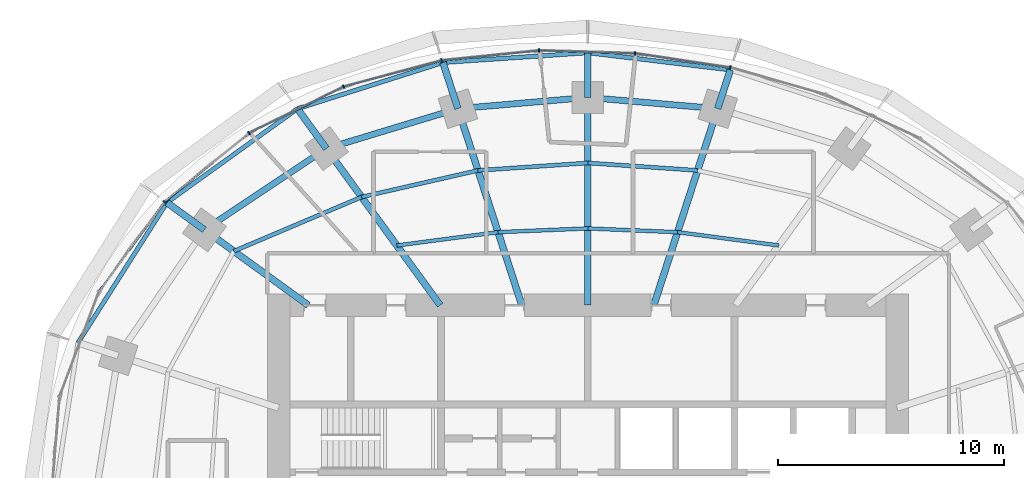
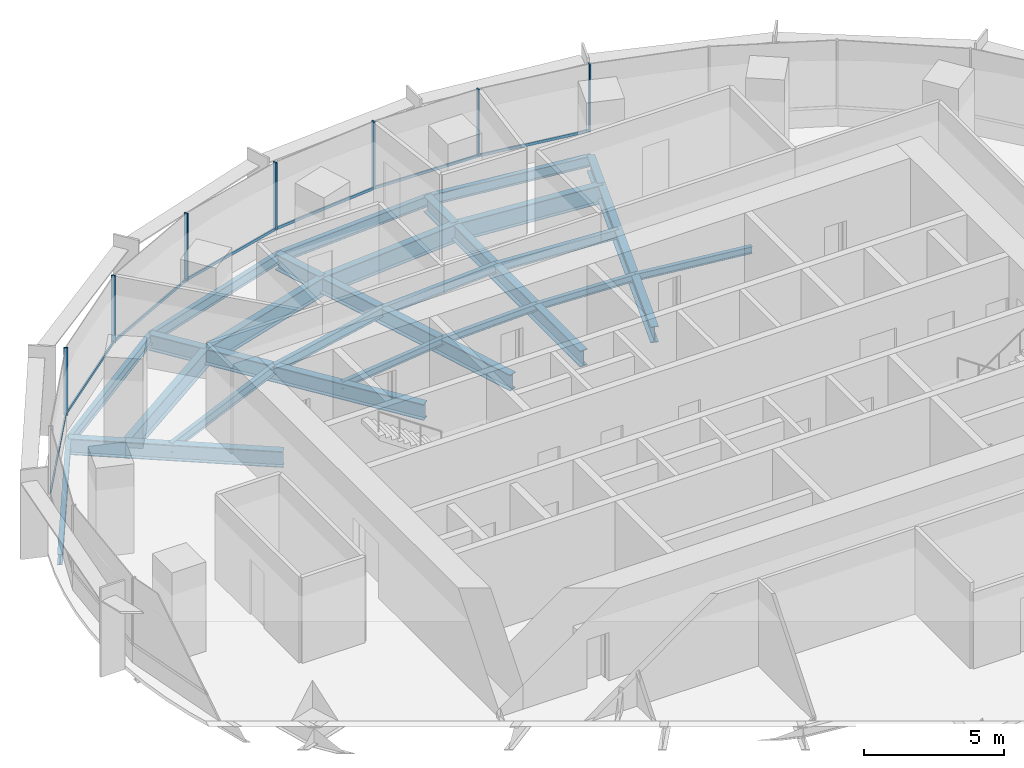
# One storey, part 7 of 15: 27 beams, 14 members, 2 elements without a shape of their own.
"""IFC4 building model written with IfcOpenShell, lengths in metres."""

from ifc_helpers import new_model, si_unit, direction, frame, origin, origin_2d, place, context, subcontext, project, spatial, rectangle, i_section, extrude, material, material_profile, profile_set, type_object, element, aggregate, save


model = new_model("IFC4")

# Units and contexts
model_context = context("Model", 3, precision=1e-05, world=origin(), true_north=direction((0.0, 1.0)))
body_context = subcontext(model_context, "Body", "Model", "MODEL_VIEW")
ifc_project = project(units=[si_unit("LENGTHUNIT", "METRE"), si_unit("AREAUNIT", "SQUARE_METRE"), si_unit("VOLUMEUNIT", "CUBIC_METRE"), si_unit("PLANEANGLEUNIT", "RADIAN"), si_unit("MASSUNIT", "GRAM", prefix="KILO")], contexts=[model_context])

# Site, building, storey
site_placement = place(None, origin())
site = spatial("IfcSite", under=ifc_project, at=site_placement, CompositionType="ELEMENT")
building_placement = place(site_placement, origin())
building = spatial("IfcBuilding", under=site, at=building_placement, Name="Marramba Exchange Tower", CompositionType="ELEMENT")
storey_placement = place(building_placement, frame((0.0, 0.0, 211.10009765625)))
storey = spatial("IfcBuildingStorey", under=building, at=storey_placement, Name="L51", CompositionType="ELEMENT", Elevation=211.10009765625)

# Beams
ifc_material_1 = material(Name="Steel AS/NZS 3679.2 grade 300", Category="steel")
ifc_material_profile_1 = material_profile(ifc_material_1, i_section(OverallWidth=0.300048828125, OverallDepth=0.699951171875, WebThickness=0.010009765625, FlangeThickness=0.031982421875, at=origin_2d()), Name="700WB173")
ifc_profile_set_1 = profile_set([ifc_material_profile_1], Name="Steel AS/NZS 3679.2 grade 300")
beam_type_1 = type_object("IfcBeamType", Name="Cantilever girder 700WB173", PredefinedType="BEAM", material=ifc_profile_set_1)
beam_1_placement = place(storey_placement, frame((5.75390625, 17.70849609375, -0.510009765625), z_axis=(0.308960771946, 0.951074782232, 0.0), x_axis=(-0.951074782232, 0.308960771946, 0.0)))
element("IfcBeam", 1, at=beam_1_placement, inside=storey, type_object=beam_type_1, Name="Cantilever girder L51 TC05", PredefinedType="BEAM", context=body_context, shape_type="SweptSolid", body=[
    extrude(i_section(OverallWidth=0.300048828125, OverallDepth=0.699951171875, WebThickness=0.010009765625, FlangeThickness=0.031982421875, at=origin_2d()), origin(), (0.0, 0.0, 1.0), 1.806396484375),
])
beam_2_placement = place(storey_placement, frame((0.0, 18.2041015625, -0.510009765625), z_axis=(0.0, 1.0, 0.0), x_axis=(-1.0, 0.0, 0.0)))
element("IfcBeam", 2, at=beam_2_placement, inside=storey, type_object=beam_type_1, Name="Cantilever girder L51 TC06", PredefinedType="BEAM", context=body_context, shape_type="SweptSolid", body=[
    extrude(i_section(OverallWidth=0.300048828125, OverallDepth=0.699951171875, WebThickness=0.010009765625, FlangeThickness=0.031982421875, at=origin_2d()), origin(), (0.0, 0.0, 1.0), 1.982177734375),
])
beam_3_placement = place(storey_placement, frame((-5.75390625, 17.70849609375, -0.510009765625), z_axis=(-0.308998798068, 0.951062428441, 0.0), x_axis=(-0.951062428441, -0.308998798068, 0.0)))
element("IfcBeam", 3, at=beam_3_placement, inside=storey, type_object=beam_type_1, Name="Cantilever girder L51 TC07", PredefinedType="BEAM", context=body_context, shape_type="SweptSolid", body=[
    extrude(i_section(OverallWidth=0.300048828125, OverallDepth=0.699951171875, WebThickness=0.010009765625, FlangeThickness=0.031982421875, at=origin_2d()), origin(), (0.0, 0.0, 1.0), 2.150634765625),
])
beam_4_placement = place(storey_placement, frame((-11.581298828125, 15.9404296875, -0.510009765625), z_axis=(-0.587832433352, 0.808982713226, 0.0), x_axis=(-0.808982713226, -0.587832433352, 0.0)))
element("IfcBeam", 4, at=beam_4_placement, inside=storey, type_object=beam_type_1, Name="Cantilever girder L51 TC08", PredefinedType="BEAM", context=body_context, shape_type="SweptSolid", body=[
    extrude(i_section(OverallWidth=0.300048828125, OverallDepth=0.699951171875, WebThickness=0.010009765625, FlangeThickness=0.031982421875, at=origin_2d()), origin(), (0.0, 0.0, 1.0), 2.1826171875),
])
beam_5_placement = place(storey_placement, frame((-16.98583984375, 12.3408203125, -0.510009765625), z_axis=(-0.808962446125, 0.587860324192, 0.0), x_axis=(-0.587860324192, -0.808962446125, 0.0)))
element("IfcBeam", 5, at=beam_5_placement, inside=storey, type_object=beam_type_1, Name="Cantilever girder L51 TC09", PredefinedType="BEAM", context=body_context, shape_type="SweptSolid", body=[
    extrude(i_section(OverallWidth=0.300048828125, OverallDepth=0.699951171875, WebThickness=0.010009765625, FlangeThickness=0.031982421875, at=origin_2d()), origin(), (0.0, 0.0, 1.0), 2.051513671875),
])
ifc_material_2 = material(Name="Steel AS/NZS 3679.1 grade 300", Category="steel")
ifc_material_profile_2 = material_profile(ifc_material_2, i_section(OverallWidth=0.166015625, OverallDepth=0.306884765625, WebThickness=0.006591796875, FlangeThickness=0.01171875, FilletRadius=0.011474609375, at=origin_2d()), Name="310UB46.2")
ifc_profile_set_2 = profile_set([ifc_material_profile_2], Name="Steel AS/NZS 3679.1 grade 300")
beam_type_2 = type_object("IfcBeamType", Name="Floor joist 310UB46.2", PredefinedType="JOIST", material=ifc_profile_set_2)
beam_6_placement = place(storey_placement, frame((8.4619140625, 11.646728515625, -0.3134765625), z_axis=(-0.991480538255, 0.130254912618, 0.0), x_axis=(-0.130254912618, -0.991480538255, 0.0)))
element("IfcBeam", 6, at=beam_6_placement, inside=storey, type_object=beam_type_2, Name="Joist L51 bay 04 row 1", PredefinedType="JOIST", context=body_context, shape_type="SweptSolid", body=[
    extrude(i_section(OverallWidth=0.166015625, OverallDepth=0.306884765625, WebThickness=0.006591796875, FlangeThickness=0.01171875, FilletRadius=0.011474609375, at=origin_2d()), origin(), (0.0, 0.0, 1.0), 4.524658203125),
])
for number, where, z_axis, x_axis, name in (
    (7, (3.975830078125, 12.236083984375, -0.3134765625), (-0.999137002892, 0.041536122257, 0.0), (-0.041536122257, -0.999137002892, 0.0), "Joist L51 bay 05 row 1"),
    (8, (0.0, 12.4013671875, -0.3134765625), (-0.999137002892, -0.041536122257, 0.0), (0.041536122257, -0.999137002892, 0.0), "Joist L51 bay 06 row 1"),
):
    element("IfcBeam", number, at=place(storey_placement, frame(where, z_axis=z_axis, x_axis=x_axis)), inside=storey, type_object=beam_type_2, Name=name, PredefinedType="JOIST", context=body_context, shape_type="SweptSolid", body=[
        extrude(i_section(OverallWidth=0.166015625, OverallDepth=0.306884765625, WebThickness=0.006591796875, FlangeThickness=0.01171875, FilletRadius=0.011474609375, at=origin_2d()), origin(), (0.0, 0.0, 1.0), 3.979248046875),
    ])
beam_7_placement = place(storey_placement, frame((-3.975830078125, 12.236083984375, -0.3134765625), z_axis=(-0.991480538255, -0.130254912618, 0.0), x_axis=(0.130254912618, -0.991480538255, 0.0)))
element("IfcBeam", 9, at=beam_7_placement, inside=storey, type_object=beam_type_2, Name="Joist L51 bay 07 row 1", PredefinedType="JOIST", context=body_context, shape_type="SweptSolid", body=[
    extrude(i_section(OverallWidth=0.166015625, OverallDepth=0.306884765625, WebThickness=0.006591796875, FlangeThickness=0.01171875, FilletRadius=0.011474609375, at=origin_2d()), origin(), (0.0, 0.0, 1.0), 4.524658203125),
])
ifc_material_profile_3 = material_profile(ifc_material_2, i_section(OverallWidth=0.177978515625, OverallDepth=0.406005859375, WebThickness=0.0078125, FlangeThickness=0.0126953125, FilletRadius=0.011474609375, at=origin_2d()), Name="410UB59.7")
ifc_profile_set_3 = profile_set([ifc_material_profile_3], Name="Steel AS/NZS 3679.1 grade 300")
beam_type_3 = type_object("IfcBeamType", Name="Floor joist 410UB59.7", PredefinedType="JOIST", material=ifc_profile_set_3)
for number, where, z_axis, x_axis, name in (
    (10, (4.86474609375, 14.972412109375, -0.363037109375), (-0.997702652202, 0.067745241816, 0.0), (-0.067745241816, -0.997702652202, 0.0), "Joist L51 bay 05 row 2"),
    (11, (0.0, 15.302734375, -0.363037109375), (-0.997702652202, -0.067745241816, 0.0), (0.067745241816, -0.997702652202, 0.0), "Joist L51 bay 06 row 2"),
):
    element("IfcBeam", number, at=place(storey_placement, frame(where, z_axis=z_axis, x_axis=x_axis)), inside=storey, type_object=beam_type_3, Name=name, PredefinedType="JOIST", context=body_context, shape_type="SweptSolid", body=[
        extrude(i_section(OverallWidth=0.177978515625, OverallDepth=0.406005859375, WebThickness=0.0078125, FlangeThickness=0.0126953125, FilletRadius=0.011474609375, at=origin_2d()), origin(), (0.0, 0.0, 1.0), 4.8759765625),
    ])
beam_8_placement = place(storey_placement, frame((-4.86474609375, 14.972412109375, -0.363037109375), z_axis=(-0.974859652292, -0.222819788916, 0.0), x_axis=(0.222819788916, -0.974859652292, 0.0)))
element("IfcBeam", 12, at=beam_8_placement, inside=storey, type_object=beam_type_3, Name="Joist L51 bay 07 row 2", PredefinedType="JOIST", context=body_context, shape_type="SweptSolid", body=[
    extrude(i_section(OverallWidth=0.177978515625, OverallDepth=0.406005859375, WebThickness=0.0078125, FlangeThickness=0.0126953125, FilletRadius=0.011474609375, at=origin_2d()), origin(), (0.0, 0.0, 1.0), 5.2900390625),
])
beam_9_placement = place(storey_placement, frame((-10.021728515625, 13.793701171875, -0.363037109375), z_axis=(-0.920674336375, -0.390331610738, 0.0), x_axis=(0.390331610738, -0.920674336375, 0.0)))
element("IfcBeam", 13, at=beam_9_placement, inside=storey, type_object=beam_type_3, Name="Joist L51 bay 08 row 2", PredefinedType="JOIST", context=body_context, shape_type="SweptSolid", body=[
    extrude(i_section(OverallWidth=0.177978515625, OverallDepth=0.406005859375, WebThickness=0.0078125, FlangeThickness=0.0126953125, FilletRadius=0.011474609375, at=origin_2d()), origin(), (0.0, 0.0, 1.0), 6.1484375),
])

# Curtain wall, members
ifc_material_3 = material(Name="Aluminium framing, bronze anodised", Category="aluminium")
curtain_wall_type = type_object("IfcCurtainWallType", Name="Office ribbon curtain wall", PredefinedType="USERDEFINED", material=ifc_material_3)
curtain_wall_1_placement = place(storey_placement, origin())
curtain_wall_1 = element("IfcCurtainWall", 14, at=curtain_wall_1_placement, inside=storey, type_object=curtain_wall_type, Name="Curtain wall CW4 L51 F06-F10", ObjectType="RIBBON CURTAIN WALL", PredefinedType="USERDEFINED")
ifc_material_4 = material(Name="Aluminium mullion, bronze anodised", Category="aluminium")
ifc_material_profile_4 = material_profile(ifc_material_4, rectangle(XDim=0.159912109375, YDim=0.06005859375, at=origin_2d()), Name="CW4 mullion 60x160")
ifc_profile_set_4 = profile_set([ifc_material_profile_4], Name="Aluminium mullion, bronze anodised")
member_type_1 = type_object("IfcMemberType", Name="Office ribbon curtain wall mullion", PredefinedType="MULLION", material=ifc_profile_set_4)
member_1_placement = place(storey_placement, frame((6.313232421875, 19.526123046875, 0.7998046875), z_axis=(0.0, 0.0, 1.0), x_axis=(-0.148794988635, -0.988868065698, 0.0)))
member_1 = element("IfcMember", 15, at=member_1_placement, type_object=member_type_1, Name="CW4 mullion 1", PredefinedType="MULLION", context=body_context, shape_type="SweptSolid", body=[
    extrude(rectangle(XDim=0.159912109375, YDim=0.06005859375, at=origin_2d()), origin(), (0.0, 0.0, 1.0), 2.940185546875),
])
member_2_placement = place(storey_placement, frame((2.088623046875, 20.158203125, 0.7998046875), z_axis=(0.0, 0.0, 1.0), x_axis=(-0.03039385249, -0.999538000143, 0.0)))
member_2 = element("IfcMember", 16, at=member_2_placement, type_object=member_type_1, Name="CW4 mullion 1", PredefinedType="MULLION", context=body_context, shape_type="SweptSolid", body=[
    extrude(rectangle(XDim=0.159912109375, YDim=0.06005859375, at=origin_2d()), origin(), (0.0, 0.0, 1.0), 2.940185546875),
])
member_3_placement = place(storey_placement, frame((-2.162109375, 20.28369140625, 0.7998046875), z_axis=(0.0, 0.0, 1.0), x_axis=(0.100862673507, -0.994900357369, 0.0)))
member_3 = element("IfcMember", 17, at=member_3_placement, type_object=member_type_1, Name="CW4 mullion 1", PredefinedType="MULLION", context=body_context, shape_type="SweptSolid", body=[
    extrude(rectangle(XDim=0.159912109375, YDim=0.06005859375, at=origin_2d()), origin(), (0.0, 0.0, 1.0), 2.940185546875),
])
member_4_placement = place(storey_placement, frame((-6.478271484375, 19.84130859375, 0.7998046875), z_axis=(0.0, 0.0, 1.0), x_axis=(0.257641223778, -0.966240653155, 0.0)))
member_4 = element("IfcMember", 18, at=member_4_placement, type_object=member_type_1, Name="CW4 mullion 1", PredefinedType="MULLION", context=body_context, shape_type="SweptSolid", body=[
    extrude(rectangle(XDim=0.159912109375, YDim=0.06005859375, at=origin_2d()), origin(), (0.0, 0.0, 1.0), 2.940185546875),
])

curtain_wall_2_placement = place(storey_placement, origin())
curtain_wall_2 = element("IfcCurtainWall", 19, at=curtain_wall_2_placement, inside=storey, type_object=curtain_wall_type, Name="Curtain wall CW4 L51 F11-F15", ObjectType="RIBBON CURTAIN WALL", PredefinedType="USERDEFINED")
member_5_placement = place(storey_placement, frame((-10.818359375, 18.677978515625, 0.7998046875), z_axis=(0.0, 0.0, 1.0), x_axis=(0.438972456661, -0.898500518805, 0.0)))
member_5 = element("IfcMember", 20, at=member_5_placement, type_object=member_type_1, Name="CW4 mullion 1", PredefinedType="MULLION", context=body_context, shape_type="SweptSolid", body=[
    extrude(rectangle(XDim=0.159912109375, YDim=0.06005859375, at=origin_2d()), origin(), (0.0, 0.0, 1.0), 2.940185546875),
])
member_6_placement = place(storey_placement, frame((-15.008056640625, 16.62353515625, 0.7998046875), z_axis=(0.0, 0.0, 1.0), x_axis=(0.630200830464, -0.776432169145, 0.0)))
member_6 = element("IfcMember", 21, at=member_6_placement, type_object=member_type_1, Name="CW4 mullion 1", PredefinedType="MULLION", context=body_context, shape_type="SweptSolid", body=[
    extrude(rectangle(XDim=0.159912109375, YDim=0.06005859375, at=origin_2d()), origin(), (0.0, 0.0, 1.0), 2.940185546875),
])
member_7_placement = place(storey_placement, frame((-18.744140625, 13.581298828125, 0.7998046875), z_axis=(0.0, 0.0, 1.0), x_axis=(0.805965197024, -0.591962922138, 0.0)))
member_7 = element("IfcMember", 22, at=member_7_placement, type_object=member_type_1, Name="CW4 mullion 1", PredefinedType="MULLION", context=body_context, shape_type="SweptSolid", body=[
    extrude(rectangle(XDim=0.159912109375, YDim=0.06005859375, at=origin_2d()), origin(), (0.0, 0.0, 1.0), 2.940185546875),
])

# Member
ifc_material_5 = material(Name="Aluminium transom, bronze anodised", Category="aluminium")
ifc_material_profile_5 = material_profile(ifc_material_5, rectangle(XDim=0.06005859375, YDim=0.1201171875, at=origin_2d()), Name="CW4 transom 60x120")
ifc_profile_set_5 = profile_set([ifc_material_profile_5], Name="Aluminium transom, bronze anodised")
member_type_2 = type_object("IfcMemberType", Name="Office ribbon curtain wall transom", PredefinedType="USERDEFINED", material=ifc_profile_set_5)
member_8_placement = place(storey_placement, frame((6.28369140625, 19.53076171875, 0.829833984375), z_axis=(-0.988868222508, 0.148793946493, 0.0), x_axis=(-0.148793946493, -0.988868222508, 0.0)))
member_8 = element("IfcMember", 23, at=member_8_placement, type_object=member_type_2, Name="CW4 sill transom", ObjectType="TRANSOM", PredefinedType="USERDEFINED", context=body_context, shape_type="SweptSolid", body=[
    extrude(rectangle(XDim=0.06005859375, YDim=0.1201171875, at=origin_2d()), origin(), (0.0, 0.0, 1.0), 4.2119140625),
])

member_9_placement = place(storey_placement, frame((2.05859375, 20.1591796875, 0.829833984375), z_axis=(-0.99953796835, 0.030394898024, 0.0), x_axis=(-0.030394898024, -0.99953796835, 0.0)))
member_9 = element("IfcMember", 24, at=member_9_placement, type_object=member_type_2, Name="CW4 sill transom", ObjectType="TRANSOM", PredefinedType="USERDEFINED", context=body_context, shape_type="SweptSolid", body=[
    extrude(rectangle(XDim=0.06005859375, YDim=0.1201171875, at=origin_2d()), origin(), (0.0, 0.0, 1.0), 4.19287109375),
])

member_10_placement = place(storey_placement, frame((-2.19189453125, 20.280517578125, 0.829833984375), z_axis=(-0.99489954864, -0.100870650418, 0.0), x_axis=(0.100870650418, -0.99489954864, 0.0)))
member_10 = element("IfcMember", 25, at=member_10_placement, type_object=member_type_2, Name="CW4 sill transom", ObjectType="TRANSOM", PredefinedType="USERDEFINED", context=body_context, shape_type="SweptSolid", body=[
    extrude(rectangle(XDim=0.06005859375, YDim=0.1201171875, at=origin_2d()), origin(), (0.0, 0.0, 1.0), 4.279052734375),
])

member_11_placement = place(storey_placement, frame((-6.50732421875, 19.83349609375, 0.829833984375), z_axis=(-0.966237681407, -0.25765236857, 0.0), x_axis=(0.25765236857, -0.966237681407, 0.0)))
member_11 = element("IfcMember", 26, at=member_11_placement, type_object=member_type_2, Name="CW4 sill transom", ObjectType="TRANSOM", PredefinedType="USERDEFINED", context=body_context, shape_type="SweptSolid", body=[
    extrude(rectangle(XDim=0.06005859375, YDim=0.1201171875, at=origin_2d()), origin(), (0.0, 0.0, 1.0), 4.43359375),
])

aggregate(curtain_wall_1, [member_1, member_8, member_2, member_9, member_3, member_10, member_4, member_11])

member_12_placement = place(storey_placement, frame((-10.84521484375, 18.664794921875, 0.829833984375), z_axis=(-0.898501418486, -0.438970615165, 0.0), x_axis=(0.438970615165, -0.898501418486, 0.0)))
member_12 = element("IfcMember", 27, at=member_12_placement, type_object=member_type_2, Name="CW4 sill transom", ObjectType="TRANSOM", PredefinedType="USERDEFINED", context=body_context, shape_type="SweptSolid", body=[
    extrude(rectangle(XDim=0.06005859375, YDim=0.1201171875, at=origin_2d()), origin(), (0.0, 0.0, 1.0), 4.607177734375),
])

member_13_placement = place(storey_placement, frame((-15.031494140625, 16.6044921875, 0.829833984375), z_axis=(-0.776424623019, -0.630210127473, 0.0), x_axis=(0.630210127473, -0.776424623019, 0.0)))
member_13 = element("IfcMember", 28, at=member_13_placement, type_object=member_type_2, Name="CW4 sill transom", ObjectType="TRANSOM", PredefinedType="USERDEFINED", context=body_context, shape_type="SweptSolid", body=[
    extrude(rectangle(XDim=0.06005859375, YDim=0.1201171875, at=origin_2d()), origin(), (0.0, 0.0, 1.0), 4.7587890625),
])

member_14_placement = place(storey_placement, frame((-18.761962890625, 13.55712890625, 0.829833984375), z_axis=(-0.591957380483, -0.805969267213, 0.0), x_axis=(0.805969267213, -0.591957380483, 0.0)))
member_14 = element("IfcMember", 29, at=member_14_placement, type_object=member_type_2, Name="CW4 sill transom", ObjectType="TRANSOM", PredefinedType="USERDEFINED", context=body_context, shape_type="SweptSolid", body=[
    extrude(rectangle(XDim=0.06005859375, YDim=0.1201171875, at=origin_2d()), origin(), (0.0, 0.0, 1.0), 4.865478515625),
])

aggregate(curtain_wall_2, [member_5, member_12, member_6, member_13, member_7, member_14])

# Beams
ifc_material_profile_6 = material_profile(ifc_material_1, i_section(OverallWidth=0.300048828125, OverallDepth=0.699951171875, WebThickness=0.010009765625, FlangeThickness=0.031982421875, at=origin_2d()), Name="700WB173")
ifc_profile_set_6 = profile_set([ifc_material_profile_6], Name="Steel AS/NZS 3679.2 grade 300")
beam_type_4 = type_object("IfcBeamType", Name="Radial girder 700WB173", PredefinedType="BEAM", material=ifc_profile_set_6)
beam_10_placement = place(storey_placement, frame((2.92431640625, 9.0, -0.510009765625), z_axis=(0.309019754162, 0.951055619582, 0.0), x_axis=(-0.951055619582, 0.309019754162, 0.0)))
element("IfcBeam", 30, at=beam_10_placement, inside=storey, type_object=beam_type_4, Name="Radial girder L51 TC05", PredefinedType="BEAM", context=body_context, shape_type="SweptSolid", body=[
    extrude(i_section(OverallWidth=0.300048828125, OverallDepth=0.699951171875, WebThickness=0.010009765625, FlangeThickness=0.031982421875, at=origin_2d()), origin(), (0.0, 0.0, 1.0), 9.15673828125),
])
beam_11_placement = place(storey_placement, frame((0.0, 9.0, -0.510009765625), z_axis=(0.0, 1.0, 0.0), x_axis=(-1.0, 0.0, 0.0)))
element("IfcBeam", 31, at=beam_11_placement, inside=storey, type_object=beam_type_4, Name="Radial girder L51 TC06", PredefinedType="BEAM", context=body_context, shape_type="SweptSolid", body=[
    extrude(i_section(OverallWidth=0.300048828125, OverallDepth=0.699951171875, WebThickness=0.010009765625, FlangeThickness=0.031982421875, at=origin_2d()), origin(), (0.0, 0.0, 1.0), 9.2041015625),
])
beam_12_placement = place(storey_placement, frame((-2.92431640625, 9.0, -0.510009765625), z_axis=(-0.309019754162, 0.951055619582, 0.0), x_axis=(-0.951055619582, -0.309019754162, 0.0)))
element("IfcBeam", 32, at=beam_12_placement, inside=storey, type_object=beam_type_4, Name="Radial girder L51 TC07", PredefinedType="BEAM", context=body_context, shape_type="SweptSolid", body=[
    extrude(i_section(OverallWidth=0.300048828125, OverallDepth=0.699951171875, WebThickness=0.010009765625, FlangeThickness=0.031982421875, at=origin_2d()), origin(), (0.0, 0.0, 1.0), 9.15673828125),
])
beam_13_placement = place(storey_placement, frame((-6.538818359375, 9.0, -0.510009765625), z_axis=(-0.587782439969, 0.80901903764, 0.0), x_axis=(-0.80901903764, -0.587782439969, 0.0)))
element("IfcBeam", 33, at=beam_13_placement, inside=storey, type_object=beam_type_4, Name="Radial girder L51 TC08", PredefinedType="BEAM", context=body_context, shape_type="SweptSolid", body=[
    extrude(i_section(OverallWidth=0.300048828125, OverallDepth=0.699951171875, WebThickness=0.010009765625, FlangeThickness=0.031982421875, at=origin_2d()), origin(), (0.0, 0.0, 1.0), 8.578857421875),
])
beam_14_placement = place(storey_placement, frame((-12.387451171875, 9.0, -0.510009765625), z_axis=(-0.809025746925, 0.587773205252, 0.0), x_axis=(-0.587773205252, -0.809025746925, 0.0)))
element("IfcBeam", 34, at=beam_14_placement, inside=storey, type_object=beam_type_4, Name="Radial girder L51 TC09", PredefinedType="BEAM", context=body_context, shape_type="SweptSolid", body=[
    extrude(i_section(OverallWidth=0.300048828125, OverallDepth=0.699951171875, WebThickness=0.010009765625, FlangeThickness=0.031982421875, at=origin_2d()), origin(), (0.0, 0.0, 1.0), 5.683837890625),
])
ifc_material_profile_7 = material_profile(ifc_material_1, i_section(OverallWidth=0.27490234375, OverallDepth=0.800048828125, WebThickness=0.010009765625, FlangeThickness=0.02490234375, at=origin_2d()), Name="800WB168")
ifc_profile_set_7 = profile_set([ifc_material_profile_7], Name="Steel AS/NZS 3679.2 grade 300")
beam_type_5 = type_object("IfcBeamType", Name="Ring beam 800WB168", PredefinedType="SPANDREL", material=ifc_profile_set_7)
for number, where, z_axis, x_axis, name in (
    (35, (5.75390625, 17.70849609375, -0.56005859375), (-0.996311003275, 0.085815993578, 0.0), (-0.085815993578, -0.996311003275, 0.0), "Ring beam L51 TC05-TC06"),
    (36, (0.0, 18.2041015625, -0.56005859375), (-0.996311003275, -0.085815993578, 0.0), (0.085815993578, -0.996311003275, 0.0), "Ring beam L51 TC06-TC07"),
):
    element("IfcBeam", number, at=place(storey_placement, frame(where, z_axis=z_axis, x_axis=x_axis)), inside=storey, type_object=beam_type_5, Name=name, PredefinedType="SPANDREL", context=body_context, shape_type="SweptSolid", body=[
        extrude(i_section(OverallWidth=0.27490234375, OverallDepth=0.800048828125, WebThickness=0.010009765625, FlangeThickness=0.02490234375, at=origin_2d()), origin(), (0.0, 0.0, 1.0), 5.775146484375),
    ])
beam_15_placement = place(storey_placement, frame((-5.75390625, 17.70849609375, -0.56005859375), z_axis=(-0.956924542524, -0.290336735387, 0.0), x_axis=(0.290336735387, -0.956924542524, 0.0)))
element("IfcBeam", 37, at=beam_15_placement, inside=storey, type_object=beam_type_5, Name="Ring beam L51 TC07-TC08", PredefinedType="SPANDREL", context=body_context, shape_type="SweptSolid", body=[
    extrude(i_section(OverallWidth=0.27490234375, OverallDepth=0.800048828125, WebThickness=0.010009765625, FlangeThickness=0.02490234375, at=origin_2d()), origin(), (0.0, 0.0, 1.0), 6.089599609375),
])
beam_16_placement = place(storey_placement, frame((-11.581298828125, 15.9404296875, -0.56005859375), z_axis=(-0.832293151443, -0.554335737673, 0.0), x_axis=(0.554335737673, -0.832293151443, 0.0)))
element("IfcBeam", 38, at=beam_16_placement, inside=storey, type_object=beam_type_5, Name="Ring beam L51 TC08-TC09", PredefinedType="SPANDREL", context=body_context, shape_type="SweptSolid", body=[
    extrude(i_section(OverallWidth=0.27490234375, OverallDepth=0.800048828125, WebThickness=0.010009765625, FlangeThickness=0.02490234375, at=origin_2d()), origin(), (0.0, 0.0, 1.0), 6.49365234375),
])
ifc_material_profile_8 = material_profile(ifc_material_2, i_section(OverallWidth=0.19091796875, OverallDepth=0.4599609375, WebThickness=0.010009765625, FlangeThickness=0.01611328125, FilletRadius=0.011474609375, at=origin_2d()), Name="460UB82.1")
ifc_profile_set_8 = profile_set([ifc_material_profile_8], Name="Steel AS/NZS 3679.1 grade 300")
beam_type_6 = type_object("IfcBeamType", Name="Slab edge beam 460UB82.1", PredefinedType="SPANDREL", material=ifc_profile_set_8)
beam_17_placement = place(storey_placement, frame((6.31201171875, 19.426513671875, -0.39013671875), z_axis=(-0.992833525914, 0.119505605811, 0.0), x_axis=(-0.119505605811, -0.992833525914, 0.0)))
element("IfcBeam", 39, at=beam_17_placement, inside=storey, type_object=beam_type_6, Name="Slab edge beam L51 TC05-TC06", PredefinedType="SPANDREL", context=body_context, shape_type="SweptSolid", body=[
    extrude(i_section(OverallWidth=0.19091796875, OverallDepth=0.4599609375, WebThickness=0.010009765625, FlangeThickness=0.01611328125, FilletRadius=0.011474609375, at=origin_2d()), origin(), (0.0, 0.0, 1.0), 6.357666015625),
])
beam_18_placement = place(storey_placement, frame((0.0, 20.186279296875, -0.39013671875), z_axis=(-0.997738737775, -0.06721168903, 0.0), x_axis=(0.06721168903, -0.997738737775, 0.0)))
element("IfcBeam", 40, at=beam_18_placement, inside=storey, type_object=beam_type_6, Name="Slab edge beam L51 TC06-TC07", PredefinedType="SPANDREL", context=body_context, shape_type="SweptSolid", body=[
    extrude(i_section(OverallWidth=0.19091796875, OverallDepth=0.4599609375, WebThickness=0.010009765625, FlangeThickness=0.01611328125, FilletRadius=0.011474609375, at=origin_2d()), origin(), (0.0, 0.0, 1.0), 6.43310546875),
])
beam_19_placement = place(storey_placement, frame((-6.41845703125, 19.75390625, -0.39013671875), z_axis=(-0.953057484675, -0.302789416766, 0.0), x_axis=(0.302789416766, -0.953057484675, 0.0)))
element("IfcBeam", 41, at=beam_19_placement, inside=storey, type_object=beam_type_6, Name="Slab edge beam L51 TC07-TC08", PredefinedType="SPANDREL", context=body_context, shape_type="SweptSolid", body=[
    extrude(i_section(OverallWidth=0.19091796875, OverallDepth=0.4599609375, WebThickness=0.010009765625, FlangeThickness=0.01611328125, FilletRadius=0.011474609375, at=origin_2d()), origin(), (0.0, 0.0, 1.0), 6.76318359375),
])
beam_20_placement = place(storey_placement, frame((-12.8642578125, 17.7060546875, -0.39013671875), z_axis=(-0.811755352788, -0.583997643163, 0.0), x_axis=(0.583997643163, -0.811755352788, 0.0)))
element("IfcBeam", 42, at=beam_20_placement, inside=storey, type_object=beam_type_6, Name="Slab edge beam L51 TC08-TC09", PredefinedType="SPANDREL", context=body_context, shape_type="SweptSolid", body=[
    extrude(i_section(OverallWidth=0.19091796875, OverallDepth=0.4599609375, WebThickness=0.010009765625, FlangeThickness=0.01611328125, FilletRadius=0.011474609375, at=origin_2d()), origin(), (0.0, 0.0, 1.0), 7.121826171875),
])
beam_21_placement = place(storey_placement, frame((-18.6455078125, 13.546875, -0.39013671875), z_axis=(-0.535794396634, -0.844348485245, 0.0), x_axis=(0.844348485245, -0.535794396634, 0.0)))
element("IfcBeam", 43, at=beam_21_placement, inside=storey, type_object=beam_type_6, Name="Slab edge beam L51 TC09-TC10", PredefinedType="SPANDREL", context=body_context, shape_type="SweptSolid", body=[
    extrude(i_section(OverallWidth=0.19091796875, OverallDepth=0.4599609375, WebThickness=0.010009765625, FlangeThickness=0.01611328125, FilletRadius=0.011474609375, at=origin_2d()), origin(), (0.0, 0.0, 1.0), 7.35302734375),
])

save(model, "model.ifc")
